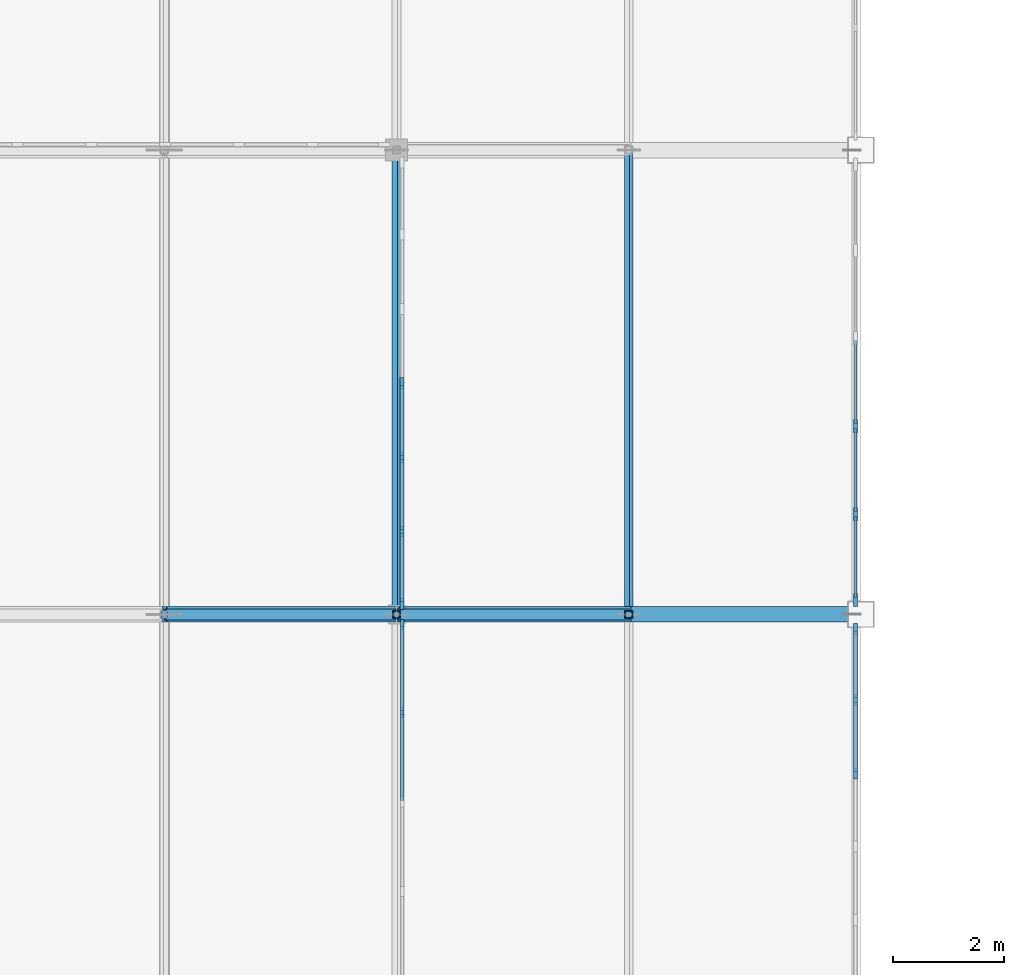
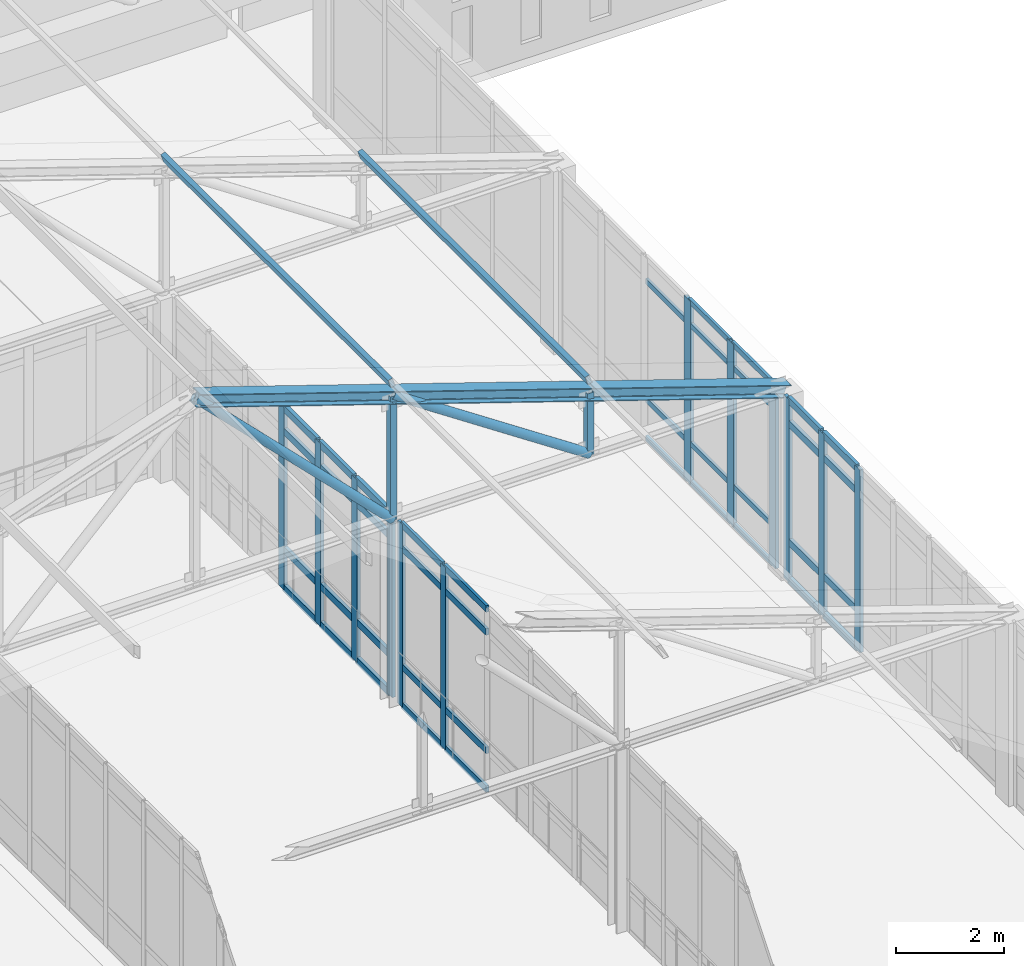
# One storey, part 88 of 192: 60 members, 4 elements without a shape of their own.
"""IFC4 building model written with IfcOpenShell, lengths in metres."""

from ifc_helpers import new_model, si_unit, direction, frame, origin, origin_2d, place, context, subcontext, project, spatial, rectangle, hollow_rectangle, hollow_circle, i_section, extrude, material, layer, layer_set, material_profile, profile_set, type_object, element, aggregate, save


model = new_model("IFC4")

# Units and contexts
model_context = context("Model", 3, precision=1e-05, world=origin(), true_north=direction((0.0, 1.0)))
body_context = subcontext(model_context, "Body", "Model", "MODEL_VIEW")
ifc_project = project(units=[si_unit("LENGTHUNIT", "METRE"), si_unit("AREAUNIT", "SQUARE_METRE"), si_unit("VOLUMEUNIT", "CUBIC_METRE"), si_unit("PLANEANGLEUNIT", "RADIAN"), si_unit("MASSUNIT", "GRAM", prefix="KILO")], contexts=[model_context])

# Site, building, storey
site_placement = place(None, origin())
site = spatial("IfcSite", under=ifc_project, at=site_placement, CompositionType="ELEMENT")
building_placement = place(site_placement, origin())
building = spatial("IfcBuilding", under=site, at=building_placement, Name="Kveldsbrygga Polytechnic", CompositionType="ELEMENT")
storey_placement = place(building_placement, frame((0.0, 0.0, 5.43994140625)))
storey = spatial("IfcBuildingStorey", under=building, at=storey_placement, Name="L01", CompositionType="ELEMENT", Elevation=5.43994140625)

# Curtain wall, members
ifc_material_1 = material(Name="Anodised aluminium AW-6060", Category="aluminium")
ifc_layer_1 = layer(ifc_material_1, 0.199951171875)
ifc_layer_set_1 = layer_set([ifc_layer_1], Name="Anodised aluminium AW-6060")
curtain_wall_type_1 = type_object("IfcCurtainWallType", Name="CW-CONC-B", PredefinedType="USERDEFINED", material=ifc_layer_set_1)
curtain_wall_1_placement = place(storey_placement, origin())
curtain_wall_1 = element("IfcCurtainWall", 1, at=curtain_wall_1_placement, inside=storey, type_object=curtain_wall_type_1, Name="Curtain Wall CW-L01-Y-08-07", ObjectType="UNITISED CURTAIN WALL", PredefinedType="USERDEFINED")
ifc_material_profile_1 = material_profile(ifc_material_1, rectangle(XDim=0.06005859375, YDim=0.179931640625, at=origin_2d()), Name="ALU 60x180")
ifc_profile_set_1 = profile_set([ifc_material_profile_1], Name="Anodised aluminium AW-6060")
member_type_1 = type_object("IfcMemberType", Name="CW-MUL-180", PredefinedType="MULLION", material=ifc_profile_set_1)
member_1_placement = place(storey_placement, frame((67.300048828125, 65.427001953125, 0.0), z_axis=(0.0, 0.0, 1.0), x_axis=(-1.0, 0.0, 0.0)))
member_1 = element("IfcMember", 2, at=member_1_placement, type_object=member_type_1, Name="CW-02 mullion 5", PredefinedType="MULLION", context=body_context, shape_type="SweptSolid", body=[
    extrude(rectangle(XDim=0.06005859375, YDim=0.179931640625, at=origin_2d()), origin(), (0.0, 0.0, 1.0), 4.1201171875),
])
member_2_placement = place(storey_placement, frame((67.300048828125, 67.014892578125, 0.0), z_axis=(0.0, 0.0, 1.0), x_axis=(-1.0, 0.0, 0.0)))
member_2 = element("IfcMember", 3, at=member_2_placement, type_object=member_type_1, Name="CW-02 mullion 6", PredefinedType="MULLION", context=body_context, shape_type="SweptSolid", body=[
    extrude(rectangle(XDim=0.06005859375, YDim=0.179931640625, at=origin_2d()), origin(), (0.0, 0.0, 1.0), 4.1201171875),
])

ifc_layer_2 = layer(ifc_material_1, 0.159912109375)
ifc_layer_set_2 = layer_set([ifc_layer_2], Name="Anodised aluminium AW-6060")
curtain_wall_type_2 = type_object("IfcCurtainWallType", Name="CW-CLER-C", PredefinedType="USERDEFINED", material=ifc_layer_set_2)
curtain_wall_2_placement = place(storey_placement, origin())
curtain_wall_2 = element("IfcCurtainWall", 4, at=curtain_wall_2_placement, inside=storey, type_object=curtain_wall_type_2, Name="Curtain Wall CW-L01-Y-09-07", ObjectType="STICK CURTAIN WALL", PredefinedType="USERDEFINED")
ifc_material_profile_2 = material_profile(ifc_material_1, rectangle(XDim=0.074951171875, YDim=0.199951171875, at=origin_2d()), Name="ALU 75x200")
ifc_profile_set_2 = profile_set([ifc_material_profile_2], Name="Anodised aluminium AW-6060")
member_type_2 = type_object("IfcMemberType", Name="CW-MUL-200", PredefinedType="MULLION", material=ifc_profile_set_2)
member_3_placement = place(storey_placement, frame((75.5, 64.324951171875, 0.0), z_axis=(0.0, 0.0, 1.0), x_axis=(-1.0, 0.0, 0.0)))
member_3 = element("IfcMember", 5, at=member_3_placement, type_object=member_type_2, Name="CW-03 mullion 5", PredefinedType="MULLION", context=body_context, shape_type="SweptSolid", body=[
    extrude(rectangle(XDim=0.074951171875, YDim=0.199951171875, at=origin_2d()), origin(), (0.0, 0.0, 1.0), 4.1201171875),
])
member_4_placement = place(storey_placement, frame((75.5, 65.64990234375, 0.0), z_axis=(0.0, 0.0, 1.0), x_axis=(-1.0, 0.0, 0.0)))
member_4 = element("IfcMember", 6, at=member_4_placement, type_object=member_type_2, Name="CW-03 mullion 6", PredefinedType="MULLION", context=body_context, shape_type="SweptSolid", body=[
    extrude(rectangle(XDim=0.074951171875, YDim=0.199951171875, at=origin_2d()), origin(), (0.0, 0.0, 1.0), 4.1201171875),
])
member_5_placement = place(storey_placement, frame((75.5, 66.9375, 0.0), z_axis=(0.0, 0.0, 1.0), x_axis=(-1.0, 0.0, 0.0)))
member_5 = element("IfcMember", 7, at=member_5_placement, type_object=member_type_2, Name="CW-03 mullion 7", PredefinedType="MULLION", context=body_context, shape_type="SweptSolid", body=[
    extrude(rectangle(XDim=0.074951171875, YDim=0.199951171875, at=origin_2d()), origin(), (0.0, 0.0, 1.0), 4.1201171875),
])

curtain_wall_3_placement = place(storey_placement, origin())
curtain_wall_3 = element("IfcCurtainWall", 8, at=curtain_wall_3_placement, inside=storey, type_object=curtain_wall_type_2, Name="Curtain Wall CW-L01-Y-08-08", ObjectType="STICK CURTAIN WALL", PredefinedType="USERDEFINED")
member_6_placement = place(storey_placement, frame((67.300048828125, 67.392578125, 0.0), z_axis=(0.0, 0.0, 1.0), x_axis=(-1.0, 0.0, 0.0)))
member_6 = element("IfcMember", 9, at=member_6_placement, type_object=member_type_2, Name="CW-03 mullion 1", PredefinedType="MULLION", context=body_context, shape_type="SweptSolid", body=[
    extrude(rectangle(XDim=0.074951171875, YDim=0.199951171875, at=origin_2d()), origin(), (0.0, 0.0, 1.0), 4.1201171875),
])
member_7_placement = place(storey_placement, frame((67.300048828125, 68.6982421875, 0.0), z_axis=(0.0, 0.0, 1.0), x_axis=(-1.0, 0.0, 0.0)))
member_7 = element("IfcMember", 10, at=member_7_placement, type_object=member_type_2, Name="CW-03 mullion 2", PredefinedType="MULLION", context=body_context, shape_type="SweptSolid", body=[
    extrude(rectangle(XDim=0.074951171875, YDim=0.199951171875, at=origin_2d()), origin(), (0.0, 0.0, 1.0), 4.1201171875),
])
member_8_placement = place(storey_placement, frame((67.300048828125, 70.041748046875, 0.0), z_axis=(0.0, 0.0, 1.0), x_axis=(-1.0, 0.0, 0.0)))
member_8 = element("IfcMember", 11, at=member_8_placement, type_object=member_type_2, Name="CW-03 mullion 3", PredefinedType="MULLION", context=body_context, shape_type="SweptSolid", body=[
    extrude(rectangle(XDim=0.074951171875, YDim=0.199951171875, at=origin_2d()), origin(), (0.0, 0.0, 1.0), 4.1201171875),
])
member_9_placement = place(storey_placement, frame((67.300048828125, 71.385009765625, 0.0), z_axis=(0.0, 0.0, 1.0), x_axis=(-1.0, 0.0, 0.0)))
member_9 = element("IfcMember", 12, at=member_9_placement, type_object=member_type_2, Name="CW-03 mullion 4", PredefinedType="MULLION", context=body_context, shape_type="SweptSolid", body=[
    extrude(rectangle(XDim=0.074951171875, YDim=0.199951171875, at=origin_2d()), origin(), (0.0, 0.0, 1.0), 4.1201171875),
])

ifc_layer_3 = layer(ifc_material_1, 0.179931640625)
ifc_layer_set_3 = layer_set([ifc_layer_3], Name="Anodised aluminium AW-6060")
curtain_wall_type_3 = type_object("IfcCurtainWallType", Name="CW-LANC-D", PredefinedType="USERDEFINED", material=ifc_layer_set_3)
curtain_wall_4_placement = place(storey_placement, origin())
curtain_wall_4 = element("IfcCurtainWall", 13, at=curtain_wall_4_placement, inside=storey, type_object=curtain_wall_type_3, Name="Curtain Wall CW-L01-Y-09-08", ObjectType="UNITISED CURTAIN WALL", PredefinedType="USERDEFINED")
ifc_material_profile_3 = material_profile(ifc_material_1, rectangle(XDim=0.074951171875, YDim=0.239990234375, at=origin_2d()), Name="ALU 75x240")
ifc_profile_set_3 = profile_set([ifc_material_profile_3], Name="Anodised aluminium AW-6060")
member_type_3 = type_object("IfcMemberType", Name="CW-MUL-240", PredefinedType="MULLION", material=ifc_profile_set_3)
member_10_placement = place(storey_placement, frame((75.5, 67.46240234375, 0.0), z_axis=(0.0, 0.0, 1.0), x_axis=(-1.0, 0.0, 0.0)))
member_10 = element("IfcMember", 14, at=member_10_placement, type_object=member_type_3, Name="CW-04 mullion 1", PredefinedType="MULLION", context=body_context, shape_type="SweptSolid", body=[
    extrude(rectangle(XDim=0.074951171875, YDim=0.239990234375, at=origin_2d()), origin(), (0.0, 0.0, 1.0), 4.1201171875),
])
member_11_placement = place(storey_placement, frame((75.5, 69.014892578125, 0.0), z_axis=(0.0, 0.0, 1.0), x_axis=(-1.0, 0.0, 0.0)))
member_11 = element("IfcMember", 15, at=member_11_placement, type_object=member_type_3, Name="CW-04 mullion 2", PredefinedType="MULLION", context=body_context, shape_type="SweptSolid", body=[
    extrude(rectangle(XDim=0.074951171875, YDim=0.239990234375, at=origin_2d()), origin(), (0.0, 0.0, 1.0), 4.1201171875),
])
member_12_placement = place(storey_placement, frame((75.5, 70.60498046875, 0.0), z_axis=(0.0, 0.0, 1.0), x_axis=(-1.0, 0.0, 0.0)))
member_12 = element("IfcMember", 16, at=member_12_placement, type_object=member_type_3, Name="CW-04 mullion 3", PredefinedType="MULLION", context=body_context, shape_type="SweptSolid", body=[
    extrude(rectangle(XDim=0.074951171875, YDim=0.239990234375, at=origin_2d()), origin(), (0.0, 0.0, 1.0), 4.1201171875),
])
ifc_material_profile_4 = material_profile(ifc_material_1, rectangle(XDim=0.06005859375, YDim=0.1201171875, at=origin_2d()), Name="ALU 60x120")
ifc_profile_set_4 = profile_set([ifc_material_profile_4], Name="Anodised aluminium AW-6060")
member_type_4 = type_object("IfcMemberType", Name="CW-TRN-120", PredefinedType="USERDEFINED", material=ifc_profile_set_4)
member_13_placement = place(storey_placement, frame((75.5, 67.5, 0.030029296875), z_axis=(0.0, 1.0, 0.0), x_axis=(-1.0, 0.0, 0.0)))
member_13 = element("IfcMember", 17, at=member_13_placement, type_object=member_type_4, Name="CW-04 transom 1.1", ObjectType="TRANSOM", PredefinedType="USERDEFINED", context=body_context, shape_type="SweptSolid", body=[
    extrude(rectangle(XDim=0.06005859375, YDim=0.1201171875, at=origin_2d()), origin(), (0.0, 0.0, 1.0), 1.4775390625),
])
member_14_placement = place(storey_placement, frame((75.5, 67.5, 0.900146484375), z_axis=(0.0, 1.0, 0.0), x_axis=(-1.0, 0.0, 0.0)))
member_14 = element("IfcMember", 18, at=member_14_placement, type_object=member_type_4, Name="CW-04 transom 1.2", ObjectType="TRANSOM", PredefinedType="USERDEFINED", context=body_context, shape_type="SweptSolid", body=[
    extrude(rectangle(XDim=0.06005859375, YDim=0.1201171875, at=origin_2d()), origin(), (0.0, 0.0, 1.0), 1.4775390625),
])
member_15_placement = place(storey_placement, frame((75.5, 67.5, 3.570068359375), z_axis=(0.0, 1.0, 0.0), x_axis=(-1.0, 0.0, 0.0)))
member_15 = element("IfcMember", 19, at=member_15_placement, type_object=member_type_4, Name="CW-04 transom 1.3", ObjectType="TRANSOM", PredefinedType="USERDEFINED", context=body_context, shape_type="SweptSolid", body=[
    extrude(rectangle(XDim=0.06005859375, YDim=0.1201171875, at=origin_2d()), origin(), (0.0, 0.0, 1.0), 1.4775390625),
])
member_16_placement = place(storey_placement, frame((75.5, 67.5, 4.090087890625), z_axis=(0.0, 1.0, 0.0), x_axis=(-1.0, 0.0, 0.0)))
member_16 = element("IfcMember", 20, at=member_16_placement, type_object=member_type_4, Name="CW-04 transom 1.4", ObjectType="TRANSOM", PredefinedType="USERDEFINED", context=body_context, shape_type="SweptSolid", body=[
    extrude(rectangle(XDim=0.06005859375, YDim=0.1201171875, at=origin_2d()), origin(), (0.0, 0.0, 1.0), 1.4775390625),
])
member_17_placement = place(storey_placement, frame((75.5, 69.052490234375, 0.030029296875), z_axis=(0.0, 1.0, 0.0), x_axis=(-1.0, 0.0, 0.0)))
member_17 = element("IfcMember", 21, at=member_17_placement, type_object=member_type_4, Name="CW-04 transom 2.1", ObjectType="TRANSOM", PredefinedType="USERDEFINED", context=body_context, shape_type="SweptSolid", body=[
    extrude(rectangle(XDim=0.06005859375, YDim=0.1201171875, at=origin_2d()), origin(), (0.0, 0.0, 1.0), 1.514892578125),
])
member_18_placement = place(storey_placement, frame((75.5, 69.052490234375, 0.900146484375), z_axis=(0.0, 1.0, 0.0), x_axis=(-1.0, 0.0, 0.0)))
member_18 = element("IfcMember", 22, at=member_18_placement, type_object=member_type_4, Name="CW-04 transom 2.2", ObjectType="TRANSOM", PredefinedType="USERDEFINED", context=body_context, shape_type="SweptSolid", body=[
    extrude(rectangle(XDim=0.06005859375, YDim=0.1201171875, at=origin_2d()), origin(), (0.0, 0.0, 1.0), 1.514892578125),
])
member_19_placement = place(storey_placement, frame((75.5, 69.052490234375, 3.570068359375), z_axis=(0.0, 1.0, 0.0), x_axis=(-1.0, 0.0, 0.0)))
member_19 = element("IfcMember", 23, at=member_19_placement, type_object=member_type_4, Name="CW-04 transom 2.3", ObjectType="TRANSOM", PredefinedType="USERDEFINED", context=body_context, shape_type="SweptSolid", body=[
    extrude(rectangle(XDim=0.06005859375, YDim=0.1201171875, at=origin_2d()), origin(), (0.0, 0.0, 1.0), 1.514892578125),
])
member_20_placement = place(storey_placement, frame((75.5, 69.052490234375, 4.090087890625), z_axis=(0.0, 1.0, 0.0), x_axis=(-1.0, 0.0, 0.0)))
member_20 = element("IfcMember", 24, at=member_20_placement, type_object=member_type_4, Name="CW-04 transom 2.4", ObjectType="TRANSOM", PredefinedType="USERDEFINED", context=body_context, shape_type="SweptSolid", body=[
    extrude(rectangle(XDim=0.06005859375, YDim=0.1201171875, at=origin_2d()), origin(), (0.0, 0.0, 1.0), 1.514892578125),
])
member_21_placement = place(storey_placement, frame((75.5, 70.642578125, 0.030029296875), z_axis=(0.0, 1.0, 0.0), x_axis=(-1.0, 0.0, 0.0)))
member_21 = element("IfcMember", 25, at=member_21_placement, type_object=member_type_4, Name="CW-04 transom 3.1", ObjectType="TRANSOM", PredefinedType="USERDEFINED", context=body_context, shape_type="SweptSolid", body=[
    extrude(rectangle(XDim=0.06005859375, YDim=0.1201171875, at=origin_2d()), origin(), (0.0, 0.0, 1.0), 1.514892578125),
])
member_22_placement = place(storey_placement, frame((75.5, 70.642578125, 0.900146484375), z_axis=(0.0, 1.0, 0.0), x_axis=(-1.0, 0.0, 0.0)))
member_22 = element("IfcMember", 26, at=member_22_placement, type_object=member_type_4, Name="CW-04 transom 3.2", ObjectType="TRANSOM", PredefinedType="USERDEFINED", context=body_context, shape_type="SweptSolid", body=[
    extrude(rectangle(XDim=0.06005859375, YDim=0.1201171875, at=origin_2d()), origin(), (0.0, 0.0, 1.0), 1.514892578125),
])
member_23_placement = place(storey_placement, frame((75.5, 70.642578125, 3.570068359375), z_axis=(0.0, 1.0, 0.0), x_axis=(-1.0, 0.0, 0.0)))
member_23 = element("IfcMember", 27, at=member_23_placement, type_object=member_type_4, Name="CW-04 transom 3.3", ObjectType="TRANSOM", PredefinedType="USERDEFINED", context=body_context, shape_type="SweptSolid", body=[
    extrude(rectangle(XDim=0.06005859375, YDim=0.1201171875, at=origin_2d()), origin(), (0.0, 0.0, 1.0), 1.514892578125),
])
aggregate(curtain_wall_4, [member_10, member_11, member_12, member_13, member_14, member_15, member_16, member_17, member_18, member_19, member_20, member_21, member_22, member_23])

# Member
ifc_material_profile_5 = material_profile(ifc_material_1, rectangle(XDim=0.06005859375, YDim=0.14990234375, at=origin_2d()), Name="ALU 60x150")
ifc_profile_set_5 = profile_set([ifc_material_profile_5], Name="Anodised aluminium AW-6060")
member_type_5 = type_object("IfcMemberType", Name="CW-TRN-150", PredefinedType="USERDEFINED", material=ifc_profile_set_5)
member_24_placement = place(storey_placement, frame((67.300048828125, 63.839111328125, 0.030029296875), z_axis=(0.0, 1.0, 0.0), x_axis=(-1.0, 0.0, 0.0)))
member_24 = element("IfcMember", 28, at=member_24_placement, type_object=member_type_5, Name="CW-02 transom 4.1", ObjectType="TRANSOM", PredefinedType="USERDEFINED", context=body_context, shape_type="SweptSolid", body=[
    extrude(rectangle(XDim=0.06005859375, YDim=0.14990234375, at=origin_2d()), origin(), (0.0, 0.0, 1.0), 1.557861328125),
])

member_25_placement = place(storey_placement, frame((67.300048828125, 63.839111328125, 0.900146484375), z_axis=(0.0, 1.0, 0.0), x_axis=(-1.0, 0.0, 0.0)))
member_25 = element("IfcMember", 29, at=member_25_placement, type_object=member_type_5, Name="CW-02 transom 4.2", ObjectType="TRANSOM", PredefinedType="USERDEFINED", context=body_context, shape_type="SweptSolid", body=[
    extrude(rectangle(XDim=0.06005859375, YDim=0.14990234375, at=origin_2d()), origin(), (0.0, 0.0, 1.0), 1.557861328125),
])

member_26_placement = place(storey_placement, frame((67.300048828125, 63.839111328125, 3.570068359375), z_axis=(0.0, 1.0, 0.0), x_axis=(-1.0, 0.0, 0.0)))
member_26 = element("IfcMember", 30, at=member_26_placement, type_object=member_type_5, Name="CW-02 transom 4.3", ObjectType="TRANSOM", PredefinedType="USERDEFINED", context=body_context, shape_type="SweptSolid", body=[
    extrude(rectangle(XDim=0.06005859375, YDim=0.14990234375, at=origin_2d()), origin(), (0.0, 0.0, 1.0), 1.557861328125),
])

member_27_placement = place(storey_placement, frame((67.300048828125, 63.839111328125, 4.090087890625), z_axis=(0.0, 1.0, 0.0), x_axis=(-1.0, 0.0, 0.0)))
member_27 = element("IfcMember", 31, at=member_27_placement, type_object=member_type_5, Name="CW-02 transom 4.4", ObjectType="TRANSOM", PredefinedType="USERDEFINED", context=body_context, shape_type="SweptSolid", body=[
    extrude(rectangle(XDim=0.06005859375, YDim=0.14990234375, at=origin_2d()), origin(), (0.0, 0.0, 1.0), 1.557861328125),
])

member_28_placement = place(storey_placement, frame((67.300048828125, 65.45703125, 0.030029296875), z_axis=(0.0, 1.0, 0.0), x_axis=(-1.0, 0.0, 0.0)))
member_28 = element("IfcMember", 32, at=member_28_placement, type_object=member_type_5, Name="CW-02 transom 5.1", ObjectType="TRANSOM", PredefinedType="USERDEFINED", context=body_context, shape_type="SweptSolid", body=[
    extrude(rectangle(XDim=0.06005859375, YDim=0.14990234375, at=origin_2d()), origin(), (0.0, 0.0, 1.0), 1.528076171875),
])

member_29_placement = place(storey_placement, frame((67.300048828125, 65.45703125, 0.900146484375), z_axis=(0.0, 1.0, 0.0), x_axis=(-1.0, 0.0, 0.0)))
member_29 = element("IfcMember", 33, at=member_29_placement, type_object=member_type_5, Name="CW-02 transom 5.2", ObjectType="TRANSOM", PredefinedType="USERDEFINED", context=body_context, shape_type="SweptSolid", body=[
    extrude(rectangle(XDim=0.06005859375, YDim=0.14990234375, at=origin_2d()), origin(), (0.0, 0.0, 1.0), 1.528076171875),
])

member_30_placement = place(storey_placement, frame((67.300048828125, 65.45703125, 3.570068359375), z_axis=(0.0, 1.0, 0.0), x_axis=(-1.0, 0.0, 0.0)))
member_30 = element("IfcMember", 34, at=member_30_placement, type_object=member_type_5, Name="CW-02 transom 5.3", ObjectType="TRANSOM", PredefinedType="USERDEFINED", context=body_context, shape_type="SweptSolid", body=[
    extrude(rectangle(XDim=0.06005859375, YDim=0.14990234375, at=origin_2d()), origin(), (0.0, 0.0, 1.0), 1.528076171875),
])

member_31_placement = place(storey_placement, frame((67.300048828125, 65.45703125, 4.090087890625), z_axis=(0.0, 1.0, 0.0), x_axis=(-1.0, 0.0, 0.0)))
member_31 = element("IfcMember", 35, at=member_31_placement, type_object=member_type_5, Name="CW-02 transom 5.4", ObjectType="TRANSOM", PredefinedType="USERDEFINED", context=body_context, shape_type="SweptSolid", body=[
    extrude(rectangle(XDim=0.06005859375, YDim=0.14990234375, at=origin_2d()), origin(), (0.0, 0.0, 1.0), 1.528076171875),
])

aggregate(curtain_wall_1, [member_1, member_2, member_24, member_25, member_26, member_27, member_28, member_29, member_30, member_31])

ifc_material_profile_6 = material_profile(ifc_material_1, rectangle(XDim=0.074951171875, YDim=0.159912109375, at=origin_2d()), Name="ALU 75x160")
ifc_profile_set_6 = profile_set([ifc_material_profile_6], Name="Anodised aluminium AW-6060")
member_type_6 = type_object("IfcMemberType", Name="CW-TRN-160", PredefinedType="USERDEFINED", material=ifc_profile_set_6)
member_32_placement = place(storey_placement, frame((75.5, 64.362548828125, 0.03759765625), z_axis=(0.0, 1.0, 0.0), x_axis=(-1.0, 0.0, 0.0)))
member_32 = element("IfcMember", 36, at=member_32_placement, type_object=member_type_6, Name="CW-03 transom 5.1", ObjectType="TRANSOM", PredefinedType="USERDEFINED", context=body_context, shape_type="SweptSolid", body=[
    extrude(rectangle(XDim=0.074951171875, YDim=0.159912109375, at=origin_2d()), origin(), (0.0, 0.0, 1.0), 1.25),
])

member_33_placement = place(storey_placement, frame((75.5, 64.362548828125, 0.900146484375), z_axis=(0.0, 1.0, 0.0), x_axis=(-1.0, 0.0, 0.0)))
member_33 = element("IfcMember", 37, at=member_33_placement, type_object=member_type_6, Name="CW-03 transom 5.2", ObjectType="TRANSOM", PredefinedType="USERDEFINED", context=body_context, shape_type="SweptSolid", body=[
    extrude(rectangle(XDim=0.074951171875, YDim=0.159912109375, at=origin_2d()), origin(), (0.0, 0.0, 1.0), 1.25),
])

member_34_placement = place(storey_placement, frame((75.5, 64.362548828125, 3.570068359375), z_axis=(0.0, 1.0, 0.0), x_axis=(-1.0, 0.0, 0.0)))
member_34 = element("IfcMember", 38, at=member_34_placement, type_object=member_type_6, Name="CW-03 transom 5.3", ObjectType="TRANSOM", PredefinedType="USERDEFINED", context=body_context, shape_type="SweptSolid", body=[
    extrude(rectangle(XDim=0.074951171875, YDim=0.159912109375, at=origin_2d()), origin(), (0.0, 0.0, 1.0), 1.25),
])

member_35_placement = place(storey_placement, frame((75.5, 64.362548828125, 4.08251953125), z_axis=(0.0, 1.0, 0.0), x_axis=(-1.0, 0.0, 0.0)))
member_35 = element("IfcMember", 39, at=member_35_placement, type_object=member_type_6, Name="CW-03 transom 5.4", ObjectType="TRANSOM", PredefinedType="USERDEFINED", context=body_context, shape_type="SweptSolid", body=[
    extrude(rectangle(XDim=0.074951171875, YDim=0.159912109375, at=origin_2d()), origin(), (0.0, 0.0, 1.0), 1.25),
])

member_36_placement = place(storey_placement, frame((75.5, 65.6875, 0.03759765625), z_axis=(0.0, 1.0, 0.0), x_axis=(-1.0, 0.0, 0.0)))
member_36 = element("IfcMember", 40, at=member_36_placement, type_object=member_type_6, Name="CW-03 transom 6.1", ObjectType="TRANSOM", PredefinedType="USERDEFINED", context=body_context, shape_type="SweptSolid", body=[
    extrude(rectangle(XDim=0.074951171875, YDim=0.159912109375, at=origin_2d()), origin(), (0.0, 0.0, 1.0), 1.21240234375),
])

member_37_placement = place(storey_placement, frame((75.5, 65.6875, 0.900146484375), z_axis=(0.0, 1.0, 0.0), x_axis=(-1.0, 0.0, 0.0)))
member_37 = element("IfcMember", 41, at=member_37_placement, type_object=member_type_6, Name="CW-03 transom 6.2", ObjectType="TRANSOM", PredefinedType="USERDEFINED", context=body_context, shape_type="SweptSolid", body=[
    extrude(rectangle(XDim=0.074951171875, YDim=0.159912109375, at=origin_2d()), origin(), (0.0, 0.0, 1.0), 1.21240234375),
])

member_38_placement = place(storey_placement, frame((75.5, 65.6875, 3.570068359375), z_axis=(0.0, 1.0, 0.0), x_axis=(-1.0, 0.0, 0.0)))
member_38 = element("IfcMember", 42, at=member_38_placement, type_object=member_type_6, Name="CW-03 transom 6.3", ObjectType="TRANSOM", PredefinedType="USERDEFINED", context=body_context, shape_type="SweptSolid", body=[
    extrude(rectangle(XDim=0.074951171875, YDim=0.159912109375, at=origin_2d()), origin(), (0.0, 0.0, 1.0), 1.21240234375),
])

member_39_placement = place(storey_placement, frame((75.5, 65.6875, 4.08251953125), z_axis=(0.0, 1.0, 0.0), x_axis=(-1.0, 0.0, 0.0)))
member_39 = element("IfcMember", 43, at=member_39_placement, type_object=member_type_6, Name="CW-03 transom 6.4", ObjectType="TRANSOM", PredefinedType="USERDEFINED", context=body_context, shape_type="SweptSolid", body=[
    extrude(rectangle(XDim=0.074951171875, YDim=0.159912109375, at=origin_2d()), origin(), (0.0, 0.0, 1.0), 1.21240234375),
])

aggregate(curtain_wall_2, [member_3, member_4, member_5, member_32, member_33, member_34, member_35, member_36, member_37, member_38, member_39])

member_40_placement = place(storey_placement, frame((67.300048828125, 67.429931640625, 0.03759765625), z_axis=(0.0, 1.0, 0.0), x_axis=(-1.0, 0.0, 0.0)))
member_40 = element("IfcMember", 44, at=member_40_placement, type_object=member_type_6, Name="CW-03 transom 1.1", ObjectType="TRANSOM", PredefinedType="USERDEFINED", context=body_context, shape_type="SweptSolid", body=[
    extrude(rectangle(XDim=0.074951171875, YDim=0.159912109375, at=origin_2d()), origin(), (0.0, 0.0, 1.0), 1.23095703125),
])

member_41_placement = place(storey_placement, frame((67.300048828125, 67.429931640625, 0.900146484375), z_axis=(0.0, 1.0, 0.0), x_axis=(-1.0, 0.0, 0.0)))
member_41 = element("IfcMember", 45, at=member_41_placement, type_object=member_type_6, Name="CW-03 transom 1.2", ObjectType="TRANSOM", PredefinedType="USERDEFINED", context=body_context, shape_type="SweptSolid", body=[
    extrude(rectangle(XDim=0.074951171875, YDim=0.159912109375, at=origin_2d()), origin(), (0.0, 0.0, 1.0), 1.23095703125),
])

member_42_placement = place(storey_placement, frame((67.300048828125, 67.429931640625, 3.570068359375), z_axis=(0.0, 1.0, 0.0), x_axis=(-1.0, 0.0, 0.0)))
member_42 = element("IfcMember", 46, at=member_42_placement, type_object=member_type_6, Name="CW-03 transom 1.3", ObjectType="TRANSOM", PredefinedType="USERDEFINED", context=body_context, shape_type="SweptSolid", body=[
    extrude(rectangle(XDim=0.074951171875, YDim=0.159912109375, at=origin_2d()), origin(), (0.0, 0.0, 1.0), 1.23095703125),
])

member_43_placement = place(storey_placement, frame((67.300048828125, 67.429931640625, 4.08251953125), z_axis=(0.0, 1.0, 0.0), x_axis=(-1.0, 0.0, 0.0)))
member_43 = element("IfcMember", 47, at=member_43_placement, type_object=member_type_6, Name="CW-03 transom 1.4", ObjectType="TRANSOM", PredefinedType="USERDEFINED", context=body_context, shape_type="SweptSolid", body=[
    extrude(rectangle(XDim=0.074951171875, YDim=0.159912109375, at=origin_2d()), origin(), (0.0, 0.0, 1.0), 1.23095703125),
])

member_44_placement = place(storey_placement, frame((67.300048828125, 68.73583984375, 0.03759765625), z_axis=(0.0, 1.0, 0.0), x_axis=(-1.0, 0.0, 0.0)))
member_44 = element("IfcMember", 48, at=member_44_placement, type_object=member_type_6, Name="CW-03 transom 2.1", ObjectType="TRANSOM", PredefinedType="USERDEFINED", context=body_context, shape_type="SweptSolid", body=[
    extrude(rectangle(XDim=0.074951171875, YDim=0.159912109375, at=origin_2d()), origin(), (0.0, 0.0, 1.0), 1.268310546875),
])

member_45_placement = place(storey_placement, frame((67.300048828125, 68.73583984375, 0.900146484375), z_axis=(0.0, 1.0, 0.0), x_axis=(-1.0, 0.0, 0.0)))
member_45 = element("IfcMember", 49, at=member_45_placement, type_object=member_type_6, Name="CW-03 transom 2.2", ObjectType="TRANSOM", PredefinedType="USERDEFINED", context=body_context, shape_type="SweptSolid", body=[
    extrude(rectangle(XDim=0.074951171875, YDim=0.159912109375, at=origin_2d()), origin(), (0.0, 0.0, 1.0), 1.268310546875),
])

member_46_placement = place(storey_placement, frame((67.300048828125, 68.73583984375, 3.570068359375), z_axis=(0.0, 1.0, 0.0), x_axis=(-1.0, 0.0, 0.0)))
member_46 = element("IfcMember", 50, at=member_46_placement, type_object=member_type_6, Name="CW-03 transom 2.3", ObjectType="TRANSOM", PredefinedType="USERDEFINED", context=body_context, shape_type="SweptSolid", body=[
    extrude(rectangle(XDim=0.074951171875, YDim=0.159912109375, at=origin_2d()), origin(), (0.0, 0.0, 1.0), 1.268310546875),
])

member_47_placement = place(storey_placement, frame((67.300048828125, 68.73583984375, 4.08251953125), z_axis=(0.0, 1.0, 0.0), x_axis=(-1.0, 0.0, 0.0)))
member_47 = element("IfcMember", 51, at=member_47_placement, type_object=member_type_6, Name="CW-03 transom 2.4", ObjectType="TRANSOM", PredefinedType="USERDEFINED", context=body_context, shape_type="SweptSolid", body=[
    extrude(rectangle(XDim=0.074951171875, YDim=0.159912109375, at=origin_2d()), origin(), (0.0, 0.0, 1.0), 1.268310546875),
])

member_48_placement = place(storey_placement, frame((67.300048828125, 70.0791015625, 0.03759765625), z_axis=(0.0, 1.0, 0.0), x_axis=(-1.0, 0.0, 0.0)))
member_48 = element("IfcMember", 52, at=member_48_placement, type_object=member_type_6, Name="CW-03 transom 3.1", ObjectType="TRANSOM", PredefinedType="USERDEFINED", context=body_context, shape_type="SweptSolid", body=[
    extrude(rectangle(XDim=0.074951171875, YDim=0.159912109375, at=origin_2d()), origin(), (0.0, 0.0, 1.0), 1.268310546875),
])

member_49_placement = place(storey_placement, frame((67.300048828125, 70.0791015625, 0.900146484375), z_axis=(0.0, 1.0, 0.0), x_axis=(-1.0, 0.0, 0.0)))
member_49 = element("IfcMember", 53, at=member_49_placement, type_object=member_type_6, Name="CW-03 transom 3.2", ObjectType="TRANSOM", PredefinedType="USERDEFINED", context=body_context, shape_type="SweptSolid", body=[
    extrude(rectangle(XDim=0.074951171875, YDim=0.159912109375, at=origin_2d()), origin(), (0.0, 0.0, 1.0), 1.268310546875),
])

member_50_placement = place(storey_placement, frame((67.300048828125, 70.0791015625, 3.570068359375), z_axis=(0.0, 1.0, 0.0), x_axis=(-1.0, 0.0, 0.0)))
member_50 = element("IfcMember", 54, at=member_50_placement, type_object=member_type_6, Name="CW-03 transom 3.3", ObjectType="TRANSOM", PredefinedType="USERDEFINED", context=body_context, shape_type="SweptSolid", body=[
    extrude(rectangle(XDim=0.074951171875, YDim=0.159912109375, at=origin_2d()), origin(), (0.0, 0.0, 1.0), 1.268310546875),
])

member_51_placement = place(storey_placement, frame((67.300048828125, 70.0791015625, 4.08251953125), z_axis=(0.0, 1.0, 0.0), x_axis=(-1.0, 0.0, 0.0)))
member_51 = element("IfcMember", 55, at=member_51_placement, type_object=member_type_6, Name="CW-03 transom 3.4", ObjectType="TRANSOM", PredefinedType="USERDEFINED", context=body_context, shape_type="SweptSolid", body=[
    extrude(rectangle(XDim=0.074951171875, YDim=0.159912109375, at=origin_2d()), origin(), (0.0, 0.0, 1.0), 1.268310546875),
])

aggregate(curtain_wall_3, [member_6, member_7, member_8, member_9, member_40, member_41, member_42, member_43, member_44, member_45, member_46, member_47, member_48, member_49, member_50, member_51])

# Members
ifc_material_2 = material(Name="Steel S355", Category="steel")
ifc_material_profile_7 = material_profile(ifc_material_2, hollow_rectangle(XDim=0.10009765625, YDim=0.199951171875, WallThickness=0.010009765625, at=origin_2d()), Name="RHS 200x100x10.0")
ifc_profile_set_7 = profile_set([ifc_material_profile_7], Name="Steel S355")
member_type_7 = type_object("IfcMemberType", Name="PRL-RHS200", PredefinedType="PURLIN", material=ifc_profile_set_7)
for number, where, z_axis, x_axis, name in (
    (56, (67.199951171875, 67.199951171875, 7.173095703125), (0.0, 1.0, 0.0), (-0.948683567514, 0.0, -0.316226957624), "Roof Purlin V5C-PRL-8-4"),
    (57, (71.39990234375, 67.199951171875, 5.77294921875), (0.0, 1.0, 0.0), (-0.948683567514, 0.0, -0.316226957624), "Roof Purlin V5C-PRL-8-5"),
):
    element("IfcMember", number, at=place(storey_placement, frame(where, z_axis=z_axis, x_axis=x_axis)), inside=storey, type_object=member_type_7, Name=name, PredefinedType="PURLIN", context=body_context, shape_type="SweptSolid", body=[
        extrude(hollow_rectangle(XDim=0.10009765625, YDim=0.199951171875, WallThickness=0.010009765625, at=origin_2d()), origin(), (0.0, 0.0, 1.0), 8.400146484375),
    ])
ifc_material_profile_8 = material_profile(ifc_material_2, hollow_circle(Radius=0.096923828125, WallThickness=0.010009765625, at=origin_2d()), Name="CHS 193.7x10.0")
ifc_profile_set_8 = profile_set([ifc_material_profile_8], Name="Steel S355")
member_type_8 = type_object("IfcMemberType", Name="TR-DIAG-CHS194", PredefinedType="BRACE", material=ifc_profile_set_8)
member_52_placement = place(storey_placement, frame((63.0, 67.199951171875, 8.320068359375), z_axis=(0.707106781187, 0.0, -0.707106781187), x_axis=(0.0, 1.0, 0.0)))
element("IfcMember", 58, at=member_52_placement, inside=storey, type_object=member_type_8, Name="Truss Diagonal V5C-T08-DG-4", PredefinedType="BRACE", context=body_context, shape_type="SweptSolid", body=[
    extrude(hollow_circle(Radius=0.096923828125, WallThickness=0.010009765625, at=origin_2d()), origin(), (0.0, 0.0, 1.0), 5.939697265625),
])
member_53_placement = place(storey_placement, frame((67.199951171875, 67.199951171875, 6.920166015625), z_axis=(0.832042853317, 0.0, -0.554711357594), x_axis=(0.0, 1.0, 0.0)))
element("IfcMember", 59, at=member_53_placement, inside=storey, type_object=member_type_8, Name="Truss Diagonal V5C-T08-DG-5", PredefinedType="BRACE", context=body_context, shape_type="SweptSolid", body=[
    extrude(hollow_circle(Radius=0.096923828125, WallThickness=0.010009765625, at=origin_2d()), origin(), (0.0, 0.0, 1.0), 5.0478515625),
])
ifc_material_profile_9 = material_profile(ifc_material_2, hollow_rectangle(XDim=0.139892578125, YDim=0.139892578125, WallThickness=0.008056640625, at=origin_2d()), Name="SHS 140x140x8.0")
ifc_profile_set_9 = profile_set([ifc_material_profile_9], Name="Steel S355")
member_type_9 = type_object("IfcMemberType", Name="TR-POST-SHS140", PredefinedType="STRUT", material=ifc_profile_set_9)
member_54_placement = place(storey_placement, frame((67.199951171875, 67.199951171875, 4.1201171875), z_axis=(0.0, 0.0, 1.0), x_axis=(1.0, 0.0, 0.0)))
element("IfcMember", 60, at=member_54_placement, inside=storey, type_object=member_type_9, Name="Truss Vertical V5C-T08-VT-4", PredefinedType="STRUT", context=body_context, shape_type="SweptSolid", body=[
    extrude(hollow_rectangle(XDim=0.139892578125, YDim=0.139892578125, WallThickness=0.008056640625, at=origin_2d()), origin(), (0.0, 0.0, 1.0), 2.800048828125),
])
member_55_placement = place(storey_placement, frame((71.39990234375, 67.199951171875, 4.1201171875), z_axis=(0.0, 0.0, 1.0), x_axis=(1.0, 0.0, 0.0)))
element("IfcMember", 61, at=member_55_placement, inside=storey, type_object=member_type_9, Name="Truss Vertical V5C-T08-VT-5", PredefinedType="STRUT", context=body_context, shape_type="SweptSolid", body=[
    extrude(hollow_rectangle(XDim=0.139892578125, YDim=0.139892578125, WallThickness=0.008056640625, at=origin_2d()), origin(), (0.0, 0.0, 1.0), 1.39990234375),
])
ifc_material_profile_10 = material_profile(ifc_material_2, i_section(OverallWidth=0.280029296875, OverallDepth=0.280029296875, WebThickness=0.010498046875, FlangeThickness=0.01806640625, FilletRadius=0.02392578125, at=origin_2d()), Name="HEB 280")
ifc_profile_set_10 = profile_set([ifc_material_profile_10], Name="Steel S355")
member_type_10 = type_object("IfcMemberType", Name="TR-TOP-HEB280", PredefinedType="CHORD", material=ifc_profile_set_10)
member_56_placement = place(storey_placement, frame((63.0, 67.199951171875, 8.320068359375), z_axis=(0.948688812577, 0.0, -0.316211221956), x_axis=(0.0, 1.0, 0.0)))
element("IfcMember", 62, at=member_56_placement, inside=storey, type_object=member_type_10, Name="Truss Top Chord V5C-T08-TC-4", PredefinedType="CHORD", context=body_context, shape_type="SweptSolid", body=[
    extrude(i_section(OverallWidth=0.280029296875, OverallDepth=0.280029296875, WebThickness=0.010498046875, FlangeThickness=0.01806640625, FilletRadius=0.02392578125, at=origin_2d()), origin(), (0.0, 0.0, 1.0), 4.427001953125),
])
for number, where, z_axis, x_axis, name in (
    (63, (67.199951171875, 67.199951171875, 6.920166015625), (0.948672268324, 0.0, -0.316260853272), (0.0, 1.0, 0.0), "Truss Top Chord V5C-T08-TC-5"),
    (64, (71.39990234375, 67.199951171875, 5.52001953125), (0.948694326238, 0.0, -0.316194679531), (0.0, 1.0, 0.0), "Truss Top Chord V5C-T08-TC-6"),
):
    element("IfcMember", number, at=place(storey_placement, frame(where, z_axis=z_axis, x_axis=x_axis)), inside=storey, type_object=member_type_10, Name=name, PredefinedType="CHORD", context=body_context, shape_type="SweptSolid", body=[
        extrude(i_section(OverallWidth=0.280029296875, OverallDepth=0.280029296875, WebThickness=0.010498046875, FlangeThickness=0.01806640625, FilletRadius=0.02392578125, at=origin_2d()), origin(), (0.0, 0.0, 1.0), 4.42724609375),
    ])

save(model, "model.ifc")
